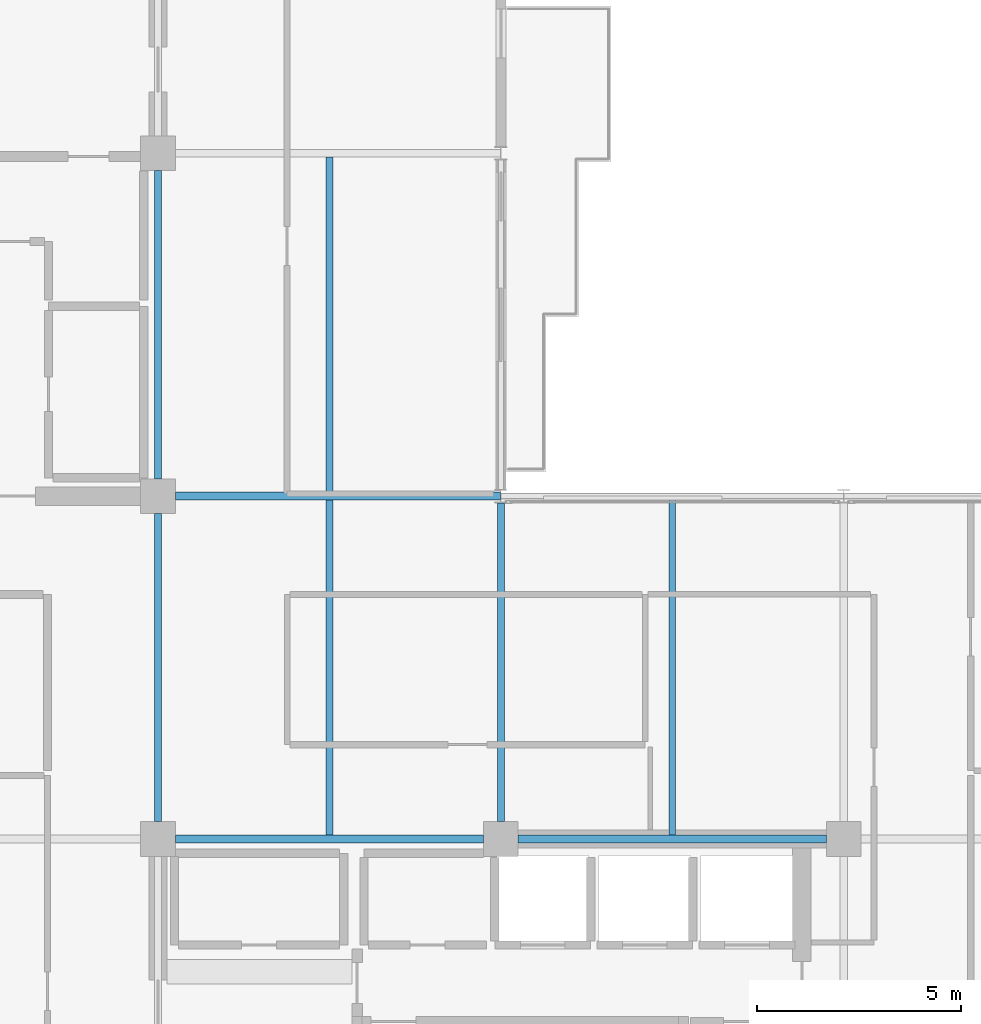
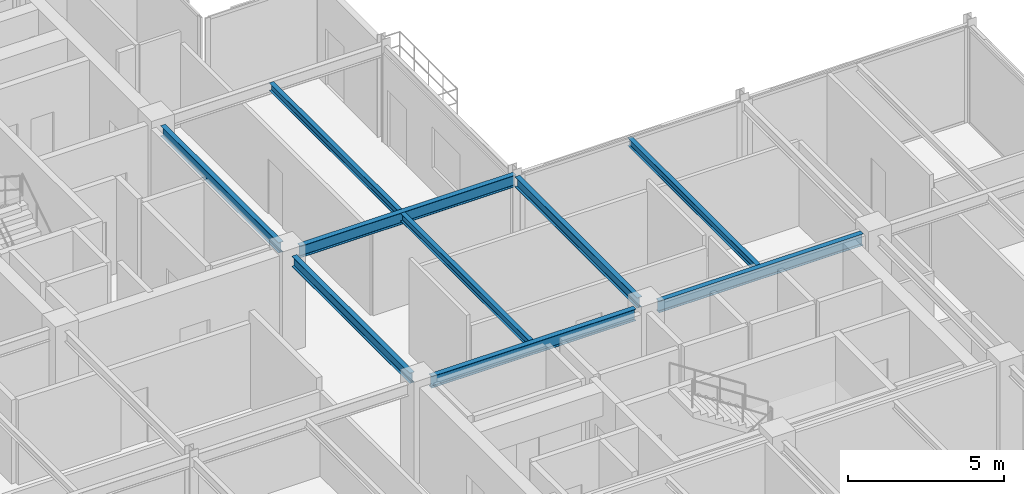
# One storey, part 12 of 26: 9 beams.
"""IFC4 building model written with IfcOpenShell, lengths in metres."""

from ifc_helpers import new_model, si_unit, direction, frame, origin, origin_2d, place, context, subcontext, project, spatial, i_section, extrude, material, material_profile, profile_set, type_object, element, save


model = new_model("IFC4")

# Units and contexts
model_context = context("Model", 3, precision=1e-05, world=origin(), true_north=direction((0.0, 1.0)))
body_context = subcontext(model_context, "Body", "Model", "MODEL_VIEW")
ifc_project = project(units=[si_unit("LENGTHUNIT", "METRE"), si_unit("AREAUNIT", "SQUARE_METRE"), si_unit("VOLUMEUNIT", "CUBIC_METRE"), si_unit("PLANEANGLEUNIT", "RADIAN"), si_unit("MASSUNIT", "GRAM", prefix="KILO")], contexts=[model_context])

# Site, building, storey
site_placement = place(None, origin())
site = spatial("IfcSite", under=ifc_project, at=site_placement, CompositionType="ELEMENT")
building_placement = place(site_placement, origin())
building = spatial("IfcBuilding", under=site, at=building_placement, Name="Nerrivon Quay Data Exchange", CompositionType="ELEMENT")
storey_placement = place(building_placement, frame((0.0, 0.0, 258.199951171875)))
storey = spatial("IfcBuildingStorey", under=building, at=storey_placement, Name="L61", CompositionType="ELEMENT", Elevation=258.199951171875)

# Beams
ifc_material = material(Name="Steel Grade 350", Category="steel")
ifc_material_profile_1 = material_profile(ifc_material, i_section(OverallWidth=0.18994140625, OverallDepth=0.4541015625, WebThickness=0.008544921875, FlangeThickness=0.0126953125, FilletRadius=0.011474609375, at=origin_2d()), Name="460UB67.1")
ifc_profile_set_1 = profile_set([ifc_material_profile_1], Name="Steel Grade 350")
beam_type_1 = type_object("IfcBeamType", Name="BM-G6-460UB67", PredefinedType="BEAM", material=ifc_profile_set_1)
beam_1_placement = place(storey_placement, frame((17.22509765625, 16.800048828125, 3.498046875), z_axis=(1.0, 0.0, 0.0), x_axis=(0.0, 1.0, 0.0)))
element("IfcBeam", 1, at=beam_1_placement, inside=storey, type_object=beam_type_1, Name="L61 EW Girder Y=16.8 (16.8..25.2)", PredefinedType="BEAM", context=body_context, shape_type="SweptSolid", body=[
    extrude(i_section(OverallWidth=0.18994140625, OverallDepth=0.4541015625, WebThickness=0.008544921875, FlangeThickness=0.0126953125, FilletRadius=0.011474609375, at=origin_2d()), origin(), (0.0, 0.0, 1.0), 7.5498046875),
])
beam_2_placement = place(storey_placement, frame((25.625, 16.800048828125, 3.498046875), z_axis=(1.0, 0.0, 0.0), x_axis=(0.0, 1.0, 0.0)))
element("IfcBeam", 2, at=beam_2_placement, inside=storey, type_object=beam_type_1, Name="L61 EW Girder Y=16.8 (25.2..33.6)", PredefinedType="BEAM", context=body_context, shape_type="SweptSolid", body=[
    extrude(i_section(OverallWidth=0.18994140625, OverallDepth=0.4541015625, WebThickness=0.008544921875, FlangeThickness=0.0126953125, FilletRadius=0.011474609375, at=origin_2d()), origin(), (0.0, 0.0, 1.0), 7.550048828125),
])
beam_3_placement = place(storey_placement, frame((17.22509765625, 25.199951171875, 3.498046875), z_axis=(1.0, 0.0, 0.0), x_axis=(0.0, 1.0, 0.0)))
element("IfcBeam", 3, at=beam_3_placement, inside=storey, type_object=beam_type_1, Name="L61 EW Girder Y=25.2 (16.8..25.2)", PredefinedType="BEAM", context=body_context, shape_type="SweptSolid", body=[
    extrude(i_section(OverallWidth=0.18994140625, OverallDepth=0.4541015625, WebThickness=0.008544921875, FlangeThickness=0.0126953125, FilletRadius=0.011474609375, at=origin_2d()), origin(), (0.0, 0.0, 1.0), 7.967041015625),
])
ifc_material_profile_2 = material_profile(ifc_material, i_section(OverallWidth=0.177978515625, OverallDepth=0.406005859375, WebThickness=0.0078125, FlangeThickness=0.0126953125, FilletRadius=0.011474609375, at=origin_2d()), Name="410UB59.7")
ifc_profile_set_2 = profile_set([ifc_material_profile_2], Name="Steel Grade 350")
beam_type_2 = type_object("IfcBeamType", Name="BM-J1-410UB60", PredefinedType="JOIST", material=ifc_profile_set_2)
beam_4_placement = place(storey_placement, frame((16.800048828125, 17.22509765625, 3.52197265625), z_axis=(0.0, 1.0, 0.0), x_axis=(-1.0, 0.0, 0.0)))
element("IfcBeam", 4, at=beam_4_placement, inside=storey, type_object=beam_type_2, Name="L61 NS Girder X=16.8 (16.8..25.2)", PredefinedType="JOIST", context=body_context, shape_type="SweptSolid", body=[
    extrude(i_section(OverallWidth=0.177978515625, OverallDepth=0.406005859375, WebThickness=0.0078125, FlangeThickness=0.0126953125, FilletRadius=0.011474609375, at=origin_2d()), origin(), (0.0, 0.0, 1.0), 7.5498046875),
])
beam_5_placement = place(storey_placement, frame((16.800048828125, 25.625, 3.52197265625), z_axis=(0.0, 1.0, 0.0), x_axis=(-1.0, 0.0, 0.0)))
element("IfcBeam", 5, at=beam_5_placement, inside=storey, type_object=beam_type_2, Name="L61 NS Girder X=16.8 (25.2..33.6)", PredefinedType="JOIST", context=body_context, shape_type="SweptSolid", body=[
    extrude(i_section(OverallWidth=0.177978515625, OverallDepth=0.406005859375, WebThickness=0.0078125, FlangeThickness=0.0126953125, FilletRadius=0.011474609375, at=origin_2d()), origin(), (0.0, 0.0, 1.0), 7.550048828125),
])
beam_6_placement = place(storey_placement, frame((25.199951171875, 17.22509765625, 3.52197265625), z_axis=(0.0, 1.0, 0.0), x_axis=(-1.0, 0.0, 0.0)))
element("IfcBeam", 6, at=beam_6_placement, inside=storey, type_object=beam_type_2, Name="L61 NS Girder X=25.2 (16.8..25.2)", PredefinedType="JOIST", context=body_context, shape_type="SweptSolid", body=[
    extrude(i_section(OverallWidth=0.177978515625, OverallDepth=0.406005859375, WebThickness=0.0078125, FlangeThickness=0.0126953125, FilletRadius=0.011474609375, at=origin_2d()), origin(), (0.0, 0.0, 1.0), 7.8115234375),
])
ifc_material_profile_3 = material_profile(ifc_material, i_section(OverallWidth=0.1650390625, OverallDepth=0.303955078125, WebThickness=0.006103515625, FlangeThickness=0.01025390625, FilletRadius=0.011474609375, at=origin_2d()), Name="310UB40.4")
ifc_profile_set_3 = profile_set([ifc_material_profile_3], Name="Steel Grade 350")
beam_type_3 = type_object("IfcBeamType", Name="BM-J6-310UB40", PredefinedType="JOIST", material=ifc_profile_set_3)
for number, where, z_axis, x_axis, name in (
    (7, (21.0, 16.89501953125, 3.572998046875), (0.0, 1.0, 0.0), (-1.0, 0.0, 0.0), "L61 Secondary Joist X=21.0 (16.8..25.2)"),
    (8, (21.0, 25.294921875, 3.572998046875), (0.0, 1.0, 0.0), (-1.0, 0.0, 0.0), "L61 Secondary Joist X=21.0 (25.2..33.6)"),
):
    element("IfcBeam", number, at=place(storey_placement, frame(where, z_axis=z_axis, x_axis=x_axis)), inside=storey, type_object=beam_type_3, Name=name, PredefinedType="JOIST", context=body_context, shape_type="SweptSolid", body=[
        extrude(i_section(OverallWidth=0.1650390625, OverallDepth=0.303955078125, WebThickness=0.006103515625, FlangeThickness=0.01025390625, FilletRadius=0.011474609375, at=origin_2d()), origin(), (0.0, 0.0, 1.0), 8.2099609375),
    ])
beam_7_placement = place(storey_placement, frame((29.39990234375, 16.89501953125, 3.572998046875), z_axis=(0.0, 1.0, 0.0), x_axis=(-1.0, 0.0, 0.0)))
element("IfcBeam", 9, at=beam_7_placement, inside=storey, type_object=beam_type_3, Name="L61 Secondary Joist X=29.4 (16.8..25.2)", PredefinedType="JOIST", context=body_context, shape_type="SweptSolid", body=[
    extrude(i_section(OverallWidth=0.1650390625, OverallDepth=0.303955078125, WebThickness=0.006103515625, FlangeThickness=0.01025390625, FilletRadius=0.011474609375, at=origin_2d()), origin(), (0.0, 0.0, 1.0), 8.22998046875),
])

save(model, "model.ifc")
